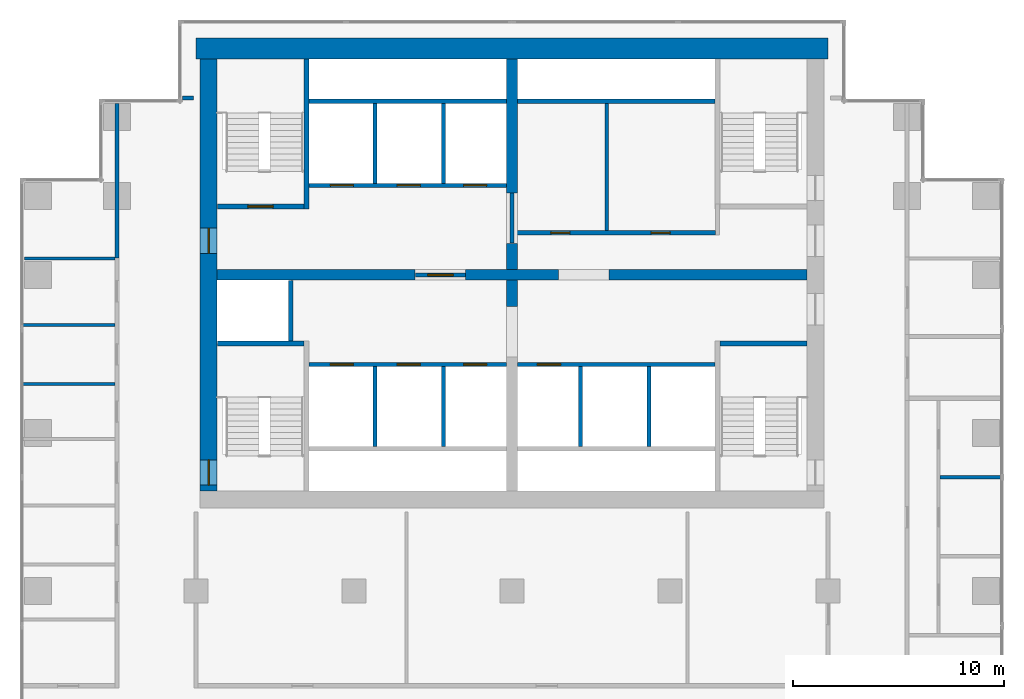
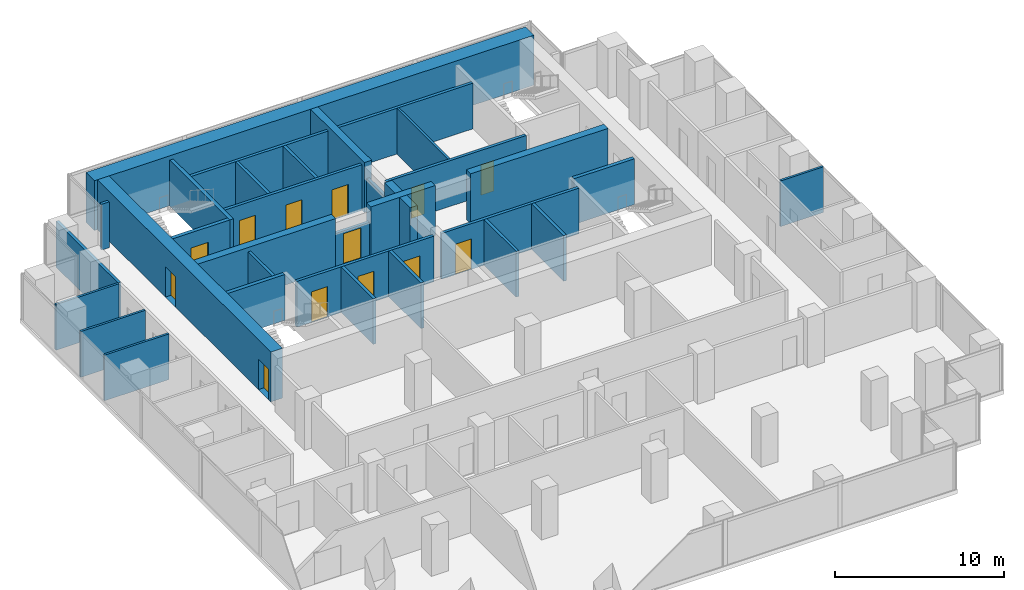
# One storey, part 8 of 10: 34 walls, 13 doors, 13 openings.
"""IFC4 building model written with IfcOpenShell, lengths in metres."""

from ifc_helpers import new_model, si_unit, direction, frame, frame_2d, origin, place, context, subcontext, project, spatial, rectangle, extrude, material, layer, layer_set, type_object, element, fill, save


model = new_model("IFC4")

# Units and contexts
model_context = context("Model", 3, precision=1e-05, world=origin(), true_north=direction((0.0, 1.0)))
body_context = subcontext(model_context, "Body", "Model", "MODEL_VIEW")
ifc_project = project(units=[si_unit("LENGTHUNIT", "METRE"), si_unit("AREAUNIT", "SQUARE_METRE"), si_unit("VOLUMEUNIT", "CUBIC_METRE"), si_unit("PLANEANGLEUNIT", "RADIAN"), si_unit("MASSUNIT", "GRAM", prefix="KILO")], contexts=[model_context])

# Site, building, storey
site_placement = place(None, origin())
site = spatial("IfcSite", under=ifc_project, at=site_placement, CompositionType="ELEMENT")
building_placement = place(site_placement, origin())
building = spatial("IfcBuilding", under=site, at=building_placement, Name="Pilkhan Gate Tower", CompositionType="ELEMENT")
storey_placement = place(building_placement, frame((0.0, 0.0, 128.800048828125)))
storey = spatial("IfcBuildingStorey", under=building, at=storey_placement, Name="L32", CompositionType="ELEMENT", Elevation=128.800048828125)

# Wall
ifc_material_1 = material(Name="Concrete C60/75", Category="concrete")
ifc_layer_1 = layer(ifc_material_1, 1.0)
ifc_layer_set_1 = layer_set([ifc_layer_1], Name="Core wall CW1000 C60/75")
wall_type_1 = type_object("IfcWallType", Name="Core wall CW1000 C60/75", PredefinedType="SHEAR", material=ifc_layer_set_1)
wall_1_placement = place(storey_placement, frame((90.0, 93.25, 0.0), z_axis=(0.0, 0.0, 1.0), x_axis=(-1.0, 0.0, 0.0)))
element("IfcWall", 1, at=wall_1_placement, inside=storey, type_object=wall_type_1, Name="Core wall N L32", PredefinedType="SHEAR", context=body_context, shape_type="SweptSolid", body=[
    extrude(rectangle(XDim=30.0, YDim=1.0, at=frame_2d((15.0, 0.0))), origin(), (0.0, 0.0, 1.0), 3.599853515625),
])

# Wall, openings, doors
ifc_layer_2 = layer(ifc_material_1, 0.800048828125)
ifc_layer_set_2 = layer_set([ifc_layer_2], Name="Core wall CW800 C60/75")
wall_type_2 = type_object("IfcWallType", Name="Core wall CW800 C60/75", PredefinedType="SHEAR", material=ifc_layer_set_2)
wall_2_placement = place(storey_placement, frame((60.60009765625, 92.75, 0.0), z_axis=(0.0, 0.0, 1.0), x_axis=(0.0, -1.0, 0.0)))
wall_2 = element("IfcWall", 2, at=wall_2_placement, inside=storey, type_object=wall_type_2, Name="Core wall W L32", PredefinedType="SHEAR", context=body_context, shape_type="SweptSolid", body=[
    extrude(rectangle(XDim=20.5, YDim=0.800048828125, at=frame_2d((10.25, 0.0))), origin(), (0.0, 0.0, 1.0), 3.599853515625),
])
opening_1_placement = place(wall_2_placement, frame((19.02490234375, 0.0, 0.0)))
opening_1 = element("IfcOpeningElement", 3, at=opening_1_placement, cuts=wall_2, Name="Opening L32-04", PredefinedType="OPENING", context=body_context, shape_type="SweptSolid", body=[
    extrude(rectangle(XDim=1.199951171875, YDim=2.199951171875, at=frame_2d((0.60009765625, 1.10009765625))), frame((0.0, 0.409912109375, 0.0), z_axis=(0.0, -1.0, 0.0), x_axis=(1.0, 0.0, 0.0)), (0.0, 0.0, 1.0), 0.820068359375),
])
opening_2_placement = place(wall_2_placement, frame((8.02490234375, 0.0, 0.0)))
opening_2 = element("IfcOpeningElement", 4, at=opening_2_placement, cuts=wall_2, Name="Opening L32-13", PredefinedType="OPENING", context=body_context, shape_type="SweptSolid", body=[
    extrude(rectangle(XDim=1.199951171875, YDim=2.199951171875, at=frame_2d((0.60009765625, 1.10009765625))), frame((0.0, 0.409912109375, 0.0), z_axis=(0.0, -1.0, 0.0), x_axis=(1.0, 0.0, 0.0)), (0.0, 0.0, 1.0), 0.820068359375),
])
ifc_material_2 = material(Name="Steel door, 120 minute fire resisting, self-closing", Category="steel")
door_type_1 = type_object("IfcDoorType", Name="Firefighting lobby door D10 1200x2200", OperationType="SINGLE_SWING_LEFT", PredefinedType="DOOR", material=ifc_material_2)
door_1_placement = place(opening_2_placement, origin())
door_1 = element("IfcDoor", 5, at=door_1_placement, inside=storey, type_object=door_type_1, Name="Core door", OperationType="SINGLE_SWING_RIGHT", OverallHeight=2.199951171875, OverallWidth=1.199951171875, PredefinedType="DOOR", context=body_context, shape_type="SweptSolid", body=[
    extrude(rectangle(XDim=1.199951171875, YDim=2.199951171875, at=frame_2d((0.60009765625, 1.10009765625))), frame((0.0, 0.02490234375, 0.0), z_axis=(0.0, -1.0, 0.0), x_axis=(1.0, 0.0, 0.0)), (0.0, 0.0, 1.0), 0.050048828125),
])
fill(opening_2, door_1)
ifc_material_3 = material(Name="Steel door, 120 minute fire resisting, panic bar", Category="steel")
door_type_2 = type_object("IfcDoorType", Name="Stair door D11 1200x2200", OperationType="SINGLE_SWING_LEFT", PredefinedType="DOOR", material=ifc_material_3)
door_2_placement = place(opening_1_placement, origin())
door_2 = element("IfcDoor", 6, at=door_2_placement, inside=storey, type_object=door_type_2, Name="Stair ST2 door", OperationType="SINGLE_SWING_LEFT", OverallHeight=2.199951171875, OverallWidth=1.199951171875, PredefinedType="DOOR", context=body_context, shape_type="SweptSolid", body=[
    extrude(rectangle(XDim=1.199951171875, YDim=2.199951171875, at=frame_2d((0.60009765625, 1.10009765625))), frame((0.0, 0.02490234375, 0.0), z_axis=(0.0, -1.0, 0.0), x_axis=(1.0, 0.0, 0.0)), (0.0, 0.0, 1.0), 0.050048828125),
])
fill(opening_1, door_2)

# Walls
ifc_material_4 = material(Name="Dense blockwork", Category="masonry")
ifc_layer_3 = layer(ifc_material_4, 0.199951171875)
ifc_layer_set_3 = layer_set([ifc_layer_3], Name="Corridor wall FW200")
wall_type_3 = type_object("IfcWallType", Name="Corridor wall FW200", PredefinedType="PARTITIONING", material=ifc_layer_set_3)
wall_3_placement = place(storey_placement, frame((59.35498046875, 90.89990234375, 0.0), z_axis=(0.0, 0.0, 1.0), x_axis=(1.0, 0.0, 0.0)))
element("IfcWall", 7, at=wall_3_placement, inside=storey, type_object=wall_type_3, Name="Partition L32", PredefinedType="PARTITIONING", context=body_context, shape_type="SweptSolid", body=[
    extrude(rectangle(XDim=0.52490234375, YDim=0.199951171875, at=frame_2d((0.262451171875, 0.0))), origin(), (0.0, 0.0, 1.0), 3.300048828125),
])
wall_4_placement = place(storey_placement, frame((56.25, 83.31005859375, 0.0), z_axis=(0.0, 0.0, 1.0), x_axis=(0.0, 1.0, 0.0)))
element("IfcWall", 8, at=wall_4_placement, inside=storey, type_object=wall_type_3, Name="Partition L32", PredefinedType="PARTITIONING", context=body_context, shape_type="SweptSolid", body=[
    extrude(rectangle(XDim=7.3349609375, YDim=0.199951171875, at=frame_2d((3.66748046875, 0.0))), origin(), (0.0, 0.0, 1.0), 3.300048828125),
])

# Wall, opening, door
ifc_layer_4 = layer(ifc_material_4, 0.199951171875)
ifc_layer_set_4 = layer_set([ifc_layer_4], Name="Lobby wall LW200")
wall_type_4 = type_object("IfcWallType", Name="Lobby wall LW200", PredefinedType="PARTITIONING", material=ifc_layer_set_4)
wall_5_placement = place(storey_placement, frame((70.409912109375, 82.5, 0.0), z_axis=(0.0, 0.0, 1.0), x_axis=(1.0, 0.0, 0.0)))
wall_5 = element("IfcWall", 9, at=wall_5_placement, inside=storey, type_object=wall_type_4, Name="Partition L32", PredefinedType="PARTITIONING", context=body_context, shape_type="SweptSolid", body=[
    extrude(rectangle(XDim=2.380126953125, YDim=0.199951171875, at=frame_2d((1.18994140625, 0.0))), origin(), (0.0, 0.0, 1.0), 2.39990234375),
])
opening_3_placement = place(wall_5_placement, frame((0.60009765625, 0.0, 0.0)))
opening_3 = element("IfcOpeningElement", 10, at=opening_3_placement, cuts=wall_5, Name="Opening L32-01", PredefinedType="OPENING", context=body_context, shape_type="SweptSolid", body=[
    extrude(rectangle(XDim=1.199951171875, YDim=2.199951171875, at=frame_2d((0.60009765625, 1.10009765625))), frame((0.0, 0.10986328125, 0.0), z_axis=(0.0, -1.0, 0.0), x_axis=(1.0, 0.0, 0.0)), (0.0, 0.0, 1.0), 0.219970703125),
])
door_3_placement = place(opening_3_placement, origin())
door_3 = element("IfcDoor", 11, at=door_3_placement, inside=storey, type_object=door_type_1, Name="Firefighting lobby door", OperationType="SINGLE_SWING_LEFT", OverallHeight=2.199951171875, OverallWidth=1.199951171875, PredefinedType="DOOR", context=body_context, shape_type="SweptSolid", body=[
    extrude(rectangle(XDim=1.199951171875, YDim=2.199951171875, at=frame_2d((0.60009765625, 1.10009765625))), frame((0.0, 0.02490234375, 0.0), z_axis=(0.0, -1.0, 0.0), x_axis=(1.0, 0.0, 0.0)), (0.0, 0.0, 1.0), 0.050048828125),
])
fill(opening_3, door_3)

# Wall, openings, doors
wall_6_placement = place(storey_placement, frame((75.10009765625, 84.5, 0.0), z_axis=(0.0, 0.0, 1.0), x_axis=(1.0, 0.0, 0.0)))
wall_6 = element("IfcWall", 12, at=wall_6_placement, inside=storey, type_object=wall_type_4, Name="Partition L32", PredefinedType="PARTITIONING", context=body_context, shape_type="SweptSolid", body=[
    extrude(rectangle(XDim=9.5498046875, YDim=0.199951171875, at=frame_2d((4.77490234375, 0.0))), origin(), (0.0, 0.0, 1.0), 3.300048828125),
])
opening_4_placement = place(wall_6_placement, frame((1.75, 0.0, 0.0)))
opening_4 = element("IfcOpeningElement", 13, at=opening_4_placement, cuts=wall_6, Name="Opening L32-15", PredefinedType="OPENING", context=body_context, shape_type="SweptSolid", body=[
    extrude(rectangle(XDim=0.89990234375, YDim=2.199951171875, at=frame_2d((0.449951171875, 1.10009765625))), frame((0.0, 0.10986328125, 0.0), z_axis=(0.0, -1.0, 0.0), x_axis=(1.0, 0.0, 0.0)), (0.0, 0.0, 1.0), 0.219970703125),
])
opening_5_placement = place(wall_6_placement, frame((6.5, 0.0, 0.0)))
opening_5 = element("IfcOpeningElement", 14, at=opening_5_placement, cuts=wall_6, Name="Opening L32-16", PredefinedType="OPENING", context=body_context, shape_type="SweptSolid", body=[
    extrude(rectangle(XDim=0.89990234375, YDim=2.199951171875, at=frame_2d((0.449951171875, 1.10009765625))), frame((0.0, 0.10986328125, 0.0), z_axis=(0.0, -1.0, 0.0), x_axis=(1.0, 0.0, 0.0)), (0.0, 0.0, 1.0), 0.219970703125),
])
ifc_material_5 = material(Name="Timber flush door, 60 minute fire resisting, self-closing", Category="wood")
door_type_3 = type_object("IfcDoorType", Name="Store door D05 900x2200", OperationType="SINGLE_SWING_LEFT", PredefinedType="DOOR", material=ifc_material_5)
door_4_placement = place(opening_4_placement, origin())
door_4 = element("IfcDoor", 15, at=door_4_placement, inside=storey, type_object=door_type_3, Name="Store door", OperationType="SINGLE_SWING_RIGHT", OverallHeight=2.199951171875, OverallWidth=0.89990234375, PredefinedType="DOOR", context=body_context, shape_type="SweptSolid", body=[
    extrude(rectangle(XDim=0.89990234375, YDim=2.199951171875, at=frame_2d((0.449951171875, 1.10009765625))), frame((0.0, 0.02490234375, 0.0), z_axis=(0.0, -1.0, 0.0), x_axis=(1.0, 0.0, 0.0)), (0.0, 0.0, 1.0), 0.050048828125),
])
fill(opening_4, door_4)
door_5_placement = place(opening_5_placement, origin())
door_5 = element("IfcDoor", 16, at=door_5_placement, inside=storey, type_object=door_type_3, Name="Store door", OperationType="SINGLE_SWING_LEFT", OverallHeight=2.199951171875, OverallWidth=0.89990234375, PredefinedType="DOOR", context=body_context, shape_type="SweptSolid", body=[
    extrude(rectangle(XDim=0.89990234375, YDim=2.199951171875, at=frame_2d((0.449951171875, 1.10009765625))), frame((0.0, 0.02490234375, 0.0), z_axis=(0.0, -1.0, 0.0), x_axis=(1.0, 0.0, 0.0)), (0.0, 0.0, 1.0), 0.050048828125),
])
fill(opening_5, door_5)

# Walls
wall_7_placement = place(storey_placement, frame((75.260009765625, 90.75, 0.0), z_axis=(0.0, 0.0, 1.0), x_axis=(1.0, 0.0, 0.0)))
element("IfcWall", 17, at=wall_7_placement, inside=storey, type_object=wall_type_4, Name="Partition L32", PredefinedType="PARTITIONING", context=body_context, shape_type="SweptSolid", body=[
    extrude(rectangle(XDim=9.364990234375, YDim=0.199951171875, at=frame_2d((4.6826171875, 0.0))), origin(), (0.0, 0.0, 1.0), 3.300048828125),
])
wall_8_placement = place(storey_placement, frame((75.0, 84.010009765625, 0.0), z_axis=(0.0, 0.0, 1.0), x_axis=(0.0, 1.0, 0.0)))
element("IfcWall", 18, at=wall_8_placement, inside=storey, type_object=wall_type_4, Name="Partition L32", PredefinedType="PARTITIONING", context=body_context, shape_type="SweptSolid", body=[
    extrude(rectangle(XDim=2.3798828125, YDim=0.199951171875, at=frame_2d((1.18994140625, 0.0))), origin(), (0.0, 0.0, 1.0), 2.39990234375),
])
ifc_material_6 = material(Name="Blockwork partition, plastered both sides", Category="masonry")
ifc_layer_5 = layer(ifc_material_6, 0.14990234375)
ifc_layer_set_5 = layer_set([ifc_layer_5], Name="Partition PW150")
wall_type_5 = type_object("IfcWallType", Name="Partition PW150", PredefinedType="PARTITIONING", material=ifc_layer_set_5)
wall_9_placement = place(storey_placement, frame((95.324951171875, 72.89990234375, 0.0), z_axis=(0.0, 0.0, 1.0), x_axis=(1.0, 0.0, 0.0)))
element("IfcWall", 19, at=wall_9_placement, inside=storey, type_object=wall_type_5, Name="Partition L32", PredefinedType="PARTITIONING", context=body_context, shape_type="SweptSolid", body=[
    extrude(rectangle(XDim=2.93994140625, YDim=0.14990234375, at=frame_2d((1.469970703125, 0.0))), origin(), (0.0, 0.0, 1.0), 3.300048828125),
])
for number, where, z_axis, x_axis, name in (
    (20, (51.735107421875, 77.3291015625, 0.0), (0.0, 0.0, 1.0), (1.0, 0.0, 0.0), "Partition L32"),
    (21, (51.735107421875, 80.12890625, 0.0), (0.0, 0.0, 1.0), (1.0, 0.0, 0.0), "Partition L32"),
):
    element("IfcWall", number, at=place(storey_placement, frame(where, z_axis=z_axis, x_axis=x_axis)), inside=storey, type_object=wall_type_5, Name=name, PredefinedType="PARTITIONING", context=body_context, shape_type="SweptSolid", body=[
        extrude(rectangle(XDim=4.414794921875, YDim=0.14990234375, at=frame_2d((2.20751953125, 0.0))), origin(), (0.0, 0.0, 1.0), 3.300048828125),
    ])
wall_10_placement = place(storey_placement, frame((51.85498046875, 83.280029296875, 0.0), z_axis=(0.0, 0.0, 1.0), x_axis=(1.0, 0.0, 0.0)))
element("IfcWall", 22, at=wall_10_placement, inside=storey, type_object=wall_type_5, Name="Partition L32", PredefinedType="PARTITIONING", context=body_context, shape_type="SweptSolid", body=[
    extrude(rectangle(XDim=4.294921875, YDim=0.14990234375, at=frame_2d((2.1474609375, 0.0))), origin(), (0.0, 0.0, 1.0), 3.300048828125),
])
wall_11_placement = place(storey_placement, frame((79.5, 84.60009765625, 0.0), z_axis=(0.0, 0.0, 1.0), x_axis=(0.0, 1.0, 0.0)))
element("IfcWall", 23, at=wall_11_placement, inside=storey, type_object=wall_type_5, Name="Partition L32", PredefinedType="PARTITIONING", context=body_context, shape_type="SweptSolid", body=[
    extrude(rectangle(XDim=6.0498046875, YDim=0.14990234375, at=frame_2d((3.02490234375, 0.0))), origin(), (0.0, 0.0, 1.0), 3.300048828125),
])

# Wall, openings, doors
ifc_material_7 = material(Name="Reinforced blockwork shaft wall, 120 minute fire resisting", Category="masonry")
ifc_layer_6 = layer(ifc_material_7, 0.199951171875)
ifc_layer_set_6 = layer_set([ifc_layer_6], Name="Shaft wall SW200")
wall_type_6 = type_object("IfcWallType", Name="Shaft wall SW200", PredefinedType="PARTITIONING", material=ifc_layer_set_6)
wall_12_placement = place(storey_placement, frame((65.375, 78.25, 0.0), z_axis=(0.0, 0.0, 1.0), x_axis=(1.0, 0.0, 0.0)))
wall_12 = element("IfcWall", 24, at=wall_12_placement, inside=storey, type_object=wall_type_6, Name="Partition L32", PredefinedType="PARTITIONING", context=body_context, shape_type="SweptSolid", body=[
    extrude(rectangle(XDim=9.364990234375, YDim=0.199951171875, at=frame_2d((4.6826171875, 0.0))), origin(), (0.0, 0.0, 1.0), 3.300048828125),
])
opening_6_placement = place(wall_12_placement, frame((1.0, 0.0, 0.0)))
opening_6 = element("IfcOpeningElement", 25, at=opening_6_placement, cuts=wall_12, Name="Opening LD", PredefinedType="OPENING", context=body_context, shape_type="SweptSolid", body=[
    extrude(rectangle(XDim=1.10009765625, YDim=2.199951171875, at=frame_2d((0.550048828125, 1.10009765625))), frame((0.0, 0.10986328125, 0.0), z_axis=(0.0, -1.0, 0.0), x_axis=(1.0, 0.0, 0.0)), (0.0, 0.0, 1.0), 0.219970703125),
])
opening_7_placement = place(wall_12_placement, frame((4.175048828125, 0.0, 0.0)))
opening_7 = element("IfcOpeningElement", 26, at=opening_7_placement, cuts=wall_12, Name="Opening LD", PredefinedType="OPENING", context=body_context, shape_type="SweptSolid", body=[
    extrude(rectangle(XDim=1.10009765625, YDim=2.199951171875, at=frame_2d((0.550048828125, 1.10009765625))), frame((0.0, 0.10986328125, 0.0), z_axis=(0.0, -1.0, 0.0), x_axis=(1.0, 0.0, 0.0)), (0.0, 0.0, 1.0), 0.219970703125),
])
opening_8_placement = place(wall_12_placement, frame((7.324951171875, 0.0, 0.0)))
opening_8 = element("IfcOpeningElement", 27, at=opening_8_placement, cuts=wall_12, Name="Opening LD", PredefinedType="OPENING", context=body_context, shape_type="SweptSolid", body=[
    extrude(rectangle(XDim=1.10009765625, YDim=2.199951171875, at=frame_2d((0.550048828125, 1.10009765625))), frame((0.0, 0.10986328125, 0.0), z_axis=(0.0, -1.0, 0.0), x_axis=(1.0, 0.0, 0.0)), (0.0, 0.0, 1.0), 0.219970703125),
])
ifc_material_8 = material(Name="Stainless steel centre-opening landing door, 120 minute fire resisting", Category="steel")
door_type_4 = type_object("IfcDoorType", Name="Lift landing door LD 1100x2200", OperationType="DOUBLE_DOOR_SLIDING", PredefinedType="DOOR", material=ifc_material_8)
door_6_placement = place(opening_6_placement, origin())
door_6 = element("IfcDoor", 28, at=door_6_placement, inside=storey, type_object=door_type_4, Name="Landing door LR1", OperationType="DOUBLE_DOOR_SLIDING", OverallHeight=2.199951171875, OverallWidth=1.10009765625, PredefinedType="DOOR", context=body_context, shape_type="SweptSolid", body=[
    extrude(rectangle(XDim=1.10009765625, YDim=2.199951171875, at=frame_2d((0.550048828125, 1.10009765625))), frame((0.0, 0.02490234375, 0.0), z_axis=(0.0, -1.0, 0.0), x_axis=(1.0, 0.0, 0.0)), (0.0, 0.0, 1.0), 0.050048828125),
])
fill(opening_6, door_6)
door_7_placement = place(opening_7_placement, origin())
door_7 = element("IfcDoor", 29, at=door_7_placement, inside=storey, type_object=door_type_4, Name="Landing door LR2", OperationType="DOUBLE_DOOR_SLIDING", OverallHeight=2.199951171875, OverallWidth=1.10009765625, PredefinedType="DOOR", context=body_context, shape_type="SweptSolid", body=[
    extrude(rectangle(XDim=1.10009765625, YDim=2.199951171875, at=frame_2d((0.550048828125, 1.10009765625))), frame((0.0, 0.02490234375, 0.0), z_axis=(0.0, -1.0, 0.0), x_axis=(1.0, 0.0, 0.0)), (0.0, 0.0, 1.0), 0.050048828125),
])
fill(opening_7, door_7)
door_8_placement = place(opening_8_placement, origin())
door_8 = element("IfcDoor", 30, at=door_8_placement, inside=storey, type_object=door_type_4, Name="Landing door LR3", OperationType="DOUBLE_DOOR_SLIDING", OverallHeight=2.199951171875, OverallWidth=1.10009765625, PredefinedType="DOOR", context=body_context, shape_type="SweptSolid", body=[
    extrude(rectangle(XDim=1.10009765625, YDim=2.199951171875, at=frame_2d((0.550048828125, 1.10009765625))), frame((0.0, 0.02490234375, 0.0), z_axis=(0.0, -1.0, 0.0), x_axis=(1.0, 0.0, 0.0)), (0.0, 0.0, 1.0), 0.050048828125),
])
fill(opening_8, door_8)

# Wall, opening, door
wall_13_placement = place(storey_placement, frame((75.260009765625, 78.25, 0.0), z_axis=(0.0, 0.0, 1.0), x_axis=(1.0, 0.0, 0.0)))
wall_13 = element("IfcWall", 31, at=wall_13_placement, inside=storey, type_object=wall_type_6, Name="Partition L32", PredefinedType="PARTITIONING", context=body_context, shape_type="SweptSolid", body=[
    extrude(rectangle(XDim=9.364990234375, YDim=0.199951171875, at=frame_2d((4.6826171875, 0.0))), origin(), (0.0, 0.0, 1.0), 3.300048828125),
])
opening_9_placement = place(wall_13_placement, frame((0.949951171875, 0.0, 0.0)))
opening_9 = element("IfcOpeningElement", 32, at=opening_9_placement, cuts=wall_13, Name="Opening LD", PredefinedType="OPENING", context=body_context, shape_type="SweptSolid", body=[
    extrude(rectangle(XDim=1.10009765625, YDim=2.199951171875, at=frame_2d((0.550048828125, 1.10009765625))), frame((0.0, 0.10986328125, 0.0), z_axis=(0.0, -1.0, 0.0), x_axis=(1.0, 0.0, 0.0)), (0.0, 0.0, 1.0), 0.219970703125),
])
door_9_placement = place(opening_9_placement, origin())
door_9 = element("IfcDoor", 33, at=door_9_placement, inside=storey, type_object=door_type_4, Name="Landing door LR4", OperationType="DOUBLE_DOOR_SLIDING", OverallHeight=2.199951171875, OverallWidth=1.10009765625, PredefinedType="DOOR", context=body_context, shape_type="SweptSolid", body=[
    extrude(rectangle(XDim=1.10009765625, YDim=2.199951171875, at=frame_2d((0.550048828125, 1.10009765625))), frame((0.0, 0.02490234375, 0.0), z_axis=(0.0, -1.0, 0.0), x_axis=(1.0, 0.0, 0.0)), (0.0, 0.0, 1.0), 0.050048828125),
])
fill(opening_9, door_9)

# Wall, openings, doors
wall_14_placement = place(storey_placement, frame((65.375, 86.75, 0.0), z_axis=(0.0, 0.0, 1.0), x_axis=(1.0, 0.0, 0.0)))
wall_14 = element("IfcWall", 34, at=wall_14_placement, inside=storey, type_object=wall_type_6, Name="Partition L32", PredefinedType="PARTITIONING", context=body_context, shape_type="SweptSolid", body=[
    extrude(rectangle(XDim=9.364990234375, YDim=0.199951171875, at=frame_2d((4.6826171875, 0.0))), origin(), (0.0, 0.0, 1.0), 3.300048828125),
])
opening_10_placement = place(wall_14_placement, frame((1.0, 0.0, 0.0)))
opening_10 = element("IfcOpeningElement", 35, at=opening_10_placement, cuts=wall_14, Name="Opening LD", PredefinedType="OPENING", context=body_context, shape_type="SweptSolid", body=[
    extrude(rectangle(XDim=1.10009765625, YDim=2.199951171875, at=frame_2d((0.550048828125, 1.10009765625))), frame((0.0, 0.10986328125, 0.0), z_axis=(0.0, -1.0, 0.0), x_axis=(1.0, 0.0, 0.0)), (0.0, 0.0, 1.0), 0.219970703125),
])
opening_11_placement = place(wall_14_placement, frame((4.175048828125, 0.0, 0.0)))
opening_11 = element("IfcOpeningElement", 36, at=opening_11_placement, cuts=wall_14, Name="Opening LD", PredefinedType="OPENING", context=body_context, shape_type="SweptSolid", body=[
    extrude(rectangle(XDim=1.10009765625, YDim=2.199951171875, at=frame_2d((0.550048828125, 1.10009765625))), frame((0.0, 0.10986328125, 0.0), z_axis=(0.0, -1.0, 0.0), x_axis=(1.0, 0.0, 0.0)), (0.0, 0.0, 1.0), 0.219970703125),
])
opening_12_placement = place(wall_14_placement, frame((7.324951171875, 0.0, 0.0)))
opening_12 = element("IfcOpeningElement", 37, at=opening_12_placement, cuts=wall_14, Name="Opening LD", PredefinedType="OPENING", context=body_context, shape_type="SweptSolid", body=[
    extrude(rectangle(XDim=1.10009765625, YDim=2.199951171875, at=frame_2d((0.550048828125, 1.10009765625))), frame((0.0, 0.10986328125, 0.0), z_axis=(0.0, -1.0, 0.0), x_axis=(1.0, 0.0, 0.0)), (0.0, 0.0, 1.0), 0.219970703125),
])
door_10_placement = place(opening_10_placement, origin())
door_10 = element("IfcDoor", 38, at=door_10_placement, inside=storey, type_object=door_type_4, Name="Landing door FF1", OperationType="DOUBLE_DOOR_SLIDING", OverallHeight=2.199951171875, OverallWidth=1.10009765625, PredefinedType="DOOR", context=body_context, shape_type="SweptSolid", body=[
    extrude(rectangle(XDim=1.10009765625, YDim=2.199951171875, at=frame_2d((0.550048828125, 1.10009765625))), frame((0.0, 0.02490234375, 0.0), z_axis=(0.0, -1.0, 0.0), x_axis=(1.0, 0.0, 0.0)), (0.0, 0.0, 1.0), 0.050048828125),
])
fill(opening_10, door_10)
door_11_placement = place(opening_11_placement, origin())
door_11 = element("IfcDoor", 39, at=door_11_placement, inside=storey, type_object=door_type_4, Name="Landing door FF2", OperationType="DOUBLE_DOOR_SLIDING", OverallHeight=2.199951171875, OverallWidth=1.10009765625, PredefinedType="DOOR", context=body_context, shape_type="SweptSolid", body=[
    extrude(rectangle(XDim=1.10009765625, YDim=2.199951171875, at=frame_2d((0.550048828125, 1.10009765625))), frame((0.0, 0.02490234375, 0.0), z_axis=(0.0, -1.0, 0.0), x_axis=(1.0, 0.0, 0.0)), (0.0, 0.0, 1.0), 0.050048828125),
])
fill(opening_11, door_11)
door_12_placement = place(opening_12_placement, origin())
door_12 = element("IfcDoor", 40, at=door_12_placement, inside=storey, type_object=door_type_4, Name="Landing door SV1", OperationType="DOUBLE_DOOR_SLIDING", OverallHeight=2.199951171875, OverallWidth=1.10009765625, PredefinedType="DOOR", context=body_context, shape_type="SweptSolid", body=[
    extrude(rectangle(XDim=1.10009765625, YDim=2.199951171875, at=frame_2d((0.550048828125, 1.10009765625))), frame((0.0, 0.02490234375, 0.0), z_axis=(0.0, -1.0, 0.0), x_axis=(1.0, 0.0, 0.0)), (0.0, 0.0, 1.0), 0.050048828125),
])
fill(opening_12, door_12)

# Walls
wall_15_placement = place(storey_placement, frame((65.375, 90.75, 0.0), z_axis=(0.0, 0.0, 1.0), x_axis=(1.0, 0.0, 0.0)))
element("IfcWall", 41, at=wall_15_placement, inside=storey, type_object=wall_type_6, Name="Partition L32", PredefinedType="PARTITIONING", context=body_context, shape_type="SweptSolid", body=[
    extrude(rectangle(XDim=9.364990234375, YDim=0.199951171875, at=frame_2d((4.6826171875, 0.0))), origin(), (0.0, 0.0, 1.0), 3.300048828125),
])
wall_16_placement = place(storey_placement, frame((64.5, 79.375, 0.0), z_axis=(0.0, 0.0, 1.0), x_axis=(0.0, 1.0, 0.0)))
element("IfcWall", 42, at=wall_16_placement, inside=storey, type_object=wall_type_6, Name="Partition L32", PredefinedType="PARTITIONING", context=body_context, shape_type="SweptSolid", body=[
    extrude(rectangle(XDim=2.864990234375, YDim=0.199951171875, at=frame_2d((1.4326171875, 0.0))), origin(), (0.0, 0.0, 1.0), 3.300048828125),
])
for number, where, z_axis, x_axis, name in (
    (43, (68.5, 74.35009765625, 0.0), (0.0, 0.0, 1.0), (0.0, 1.0, 0.0), "Partition L32"),
    (44, (68.5, 86.85009765625, 0.0), (0.0, 0.0, 1.0), (0.0, 1.0, 0.0), "Partition L32"),
    (45, (71.75, 74.35009765625, 0.0), (0.0, 0.0, 1.0), (0.0, 1.0, 0.0), "Partition L32"),
    (46, (71.75, 86.85009765625, 0.0), (0.0, 0.0, 1.0), (0.0, 1.0, 0.0), "Partition L32"),
    (47, (78.25, 74.35009765625, 0.0), (0.0, 0.0, 1.0), (0.0, 1.0, 0.0), "Partition L32"),
    (48, (81.5, 74.35009765625, 0.0), (0.0, 0.0, 1.0), (0.0, 1.0, 0.0), "Partition L32"),
):
    element("IfcWall", number, at=place(storey_placement, frame(where, z_axis=z_axis, x_axis=x_axis)), inside=storey, type_object=wall_type_6, Name=name, PredefinedType="PARTITIONING", context=body_context, shape_type="SweptSolid", body=[
        extrude(rectangle(XDim=3.7998046875, YDim=0.199951171875, at=frame_2d((1.89990234375, 0.0))), origin(), (0.0, 0.0, 1.0), 3.300048828125),
    ])
ifc_layer_7 = layer(ifc_material_1, 0.5)
ifc_layer_set_7 = layer_set([ifc_layer_7], Name="Spine wall SW500 C60/75")
wall_type_7 = type_object("IfcWallType", Name="Spine wall SW500 C60/75", PredefinedType="SHEAR", material=ifc_layer_set_7)
wall_17_placement = place(storey_placement, frame((61.0, 82.5, 0.0), z_axis=(0.0, 0.0, 1.0), x_axis=(1.0, 0.0, 0.0)))
element("IfcWall", 49, at=wall_17_placement, inside=storey, type_object=wall_type_7, Name="Spine wall SP-EW1 L32", PredefinedType="SHEAR", context=body_context, shape_type="SweptSolid", body=[
    extrude(rectangle(XDim=9.39990234375, YDim=0.5, at=frame_2d((4.699951171875, 0.0))), origin(), (0.0, 0.0, 1.0), 3.599853515625),
])
wall_18_placement = place(storey_placement, frame((72.800048828125, 82.5, 0.0), z_axis=(0.0, 0.0, 1.0), x_axis=(1.0, 0.0, 0.0)))
element("IfcWall", 50, at=wall_18_placement, inside=storey, type_object=wall_type_7, Name="Spine wall SP-EW2 L32", PredefinedType="SHEAR", context=body_context, shape_type="SweptSolid", body=[
    extrude(rectangle(XDim=4.39990234375, YDim=0.5, at=frame_2d((2.199951171875, 0.0))), origin(), (0.0, 0.0, 1.0), 3.599853515625),
])
wall_19_placement = place(storey_placement, frame((79.60009765625, 82.5, 0.0), z_axis=(0.0, 0.0, 1.0), x_axis=(1.0, 0.0, 0.0)))
element("IfcWall", 51, at=wall_19_placement, inside=storey, type_object=wall_type_7, Name="Spine wall SP-EW3 L32", PredefinedType="SHEAR", context=body_context, shape_type="SweptSolid", body=[
    extrude(rectangle(XDim=9.39990234375, YDim=0.5, at=frame_2d((4.699951171875, 0.0))), origin(), (0.0, 0.0, 1.0), 3.599853515625),
])
for number, where, z_axis, x_axis, name in (
    (52, (75.0, 81.0, 0.0), (0.0, 0.0, 1.0), (0.0, 1.0, 0.0), "Spine wall SP-NS-S2 L32"),
    (53, (75.0, 82.75, 0.0), (0.0, 0.0, 1.0), (0.0, 1.0, 0.0), "Spine wall SP-NS-N1 L32"),
):
    element("IfcWall", number, at=place(storey_placement, frame(where, z_axis=z_axis, x_axis=x_axis)), inside=storey, type_object=wall_type_7, Name=name, PredefinedType="SHEAR", context=body_context, shape_type="SweptSolid", body=[
        extrude(rectangle(XDim=1.25, YDim=0.5, at=frame_2d((0.625, 0.0))), origin(), (0.0, 0.0, 1.0), 3.599853515625),
    ])
wall_20_placement = place(storey_placement, frame((75.0, 86.39990234375, 0.0), z_axis=(0.0, 0.0, 1.0), x_axis=(0.0, 1.0, 0.0)))
element("IfcWall", 54, at=wall_20_placement, inside=storey, type_object=wall_type_7, Name="Spine wall SP-NS-N2 L32", PredefinedType="SHEAR", context=body_context, shape_type="SweptSolid", body=[
    extrude(rectangle(XDim=6.35009765625, YDim=0.5, at=frame_2d((3.175048828125, 0.0))), origin(), (0.0, 0.0, 1.0), 3.599853515625),
])
ifc_material_9 = material(Name="Reinforced blockwork, 120 minute fire resisting", Category="masonry")
ifc_layer_8 = layer(ifc_material_9, 0.25)
ifc_layer_set_8 = layer_set([ifc_layer_8], Name="Stair enclosure wall SE250")
wall_type_8 = type_object("IfcWallType", Name="Stair enclosure wall SE250", PredefinedType="PARTITIONING", material=ifc_layer_set_8)
wall_21_placement = place(storey_placement, frame((61.010009765625, 79.25, 0.0), z_axis=(0.0, 0.0, 1.0), x_axis=(1.0, 0.0, 0.0)))
element("IfcWall", 55, at=wall_21_placement, inside=storey, type_object=wall_type_8, Name="Partition L32", PredefinedType="PARTITIONING", context=body_context, shape_type="SweptSolid", body=[
    extrude(rectangle(XDim=4.114990234375, YDim=0.25, at=frame_2d((2.0576171875, 0.0))), origin(), (0.0, 0.0, 1.0), 3.300048828125),
])
wall_22_placement = place(storey_placement, frame((84.875, 79.25, 0.0), z_axis=(0.0, 0.0, 1.0), x_axis=(1.0, 0.0, 0.0)))
element("IfcWall", 56, at=wall_22_placement, inside=storey, type_object=wall_type_8, Name="Partition L32", PredefinedType="PARTITIONING", context=body_context, shape_type="SweptSolid", body=[
    extrude(rectangle(XDim=4.125, YDim=0.25, at=frame_2d((2.0625, 0.0))), origin(), (0.0, 0.0, 1.0), 3.300048828125),
])

# Wall, opening, door
wall_23_placement = place(storey_placement, frame((61.010009765625, 85.75, 0.0), z_axis=(0.0, 0.0, 1.0), x_axis=(1.0, 0.0, 0.0)))
wall_23 = element("IfcWall", 57, at=wall_23_placement, inside=storey, type_object=wall_type_8, Name="Partition L32", PredefinedType="PARTITIONING", context=body_context, shape_type="SweptSolid", body=[
    extrude(rectangle(XDim=4.114990234375, YDim=0.25, at=frame_2d((2.0576171875, 0.0))), origin(), (0.0, 0.0, 1.0), 3.300048828125),
])
opening_13_placement = place(wall_23_placement, frame((1.449951171875, 0.0, 0.0)))
opening_13 = element("IfcOpeningElement", 58, at=opening_13_placement, cuts=wall_23, Name="Opening L32-02", PredefinedType="OPENING", context=body_context, shape_type="SweptSolid", body=[
    extrude(rectangle(XDim=1.199951171875, YDim=2.199951171875, at=frame_2d((0.60009765625, 1.10009765625))), frame((0.0, 0.135009765625, 0.0), z_axis=(0.0, -1.0, 0.0), x_axis=(1.0, 0.0, 0.0)), (0.0, 0.0, 1.0), 0.27001953125),
])
door_13_placement = place(opening_13_placement, origin())
door_13 = element("IfcDoor", 59, at=door_13_placement, inside=storey, type_object=door_type_2, Name="Stair ST3 lobby door", OperationType="SINGLE_SWING_LEFT", OverallHeight=2.199951171875, OverallWidth=1.199951171875, PredefinedType="DOOR", context=body_context, shape_type="SweptSolid", body=[
    extrude(rectangle(XDim=1.199951171875, YDim=2.199951171875, at=frame_2d((0.60009765625, 1.10009765625))), frame((0.0, 0.02490234375, 0.0), z_axis=(0.0, -1.0, 0.0), x_axis=(1.0, 0.0, 0.0)), (0.0, 0.0, 1.0), 0.050048828125),
])
fill(opening_13, door_13)

# Wall
wall_24_placement = place(storey_placement, frame((65.25, 85.625, 0.0), z_axis=(0.0, 0.0, 1.0), x_axis=(0.0, 1.0, 0.0)))
element("IfcWall", 60, at=wall_24_placement, inside=storey, type_object=wall_type_8, Name="Partition L32", PredefinedType="PARTITIONING", context=body_context, shape_type="SweptSolid", body=[
    extrude(rectangle(XDim=7.114990234375, YDim=0.25, at=frame_2d((3.5576171875, 0.0))), origin(), (0.0, 0.0, 1.0), 3.300048828125),
])

save(model, "model.ifc")
